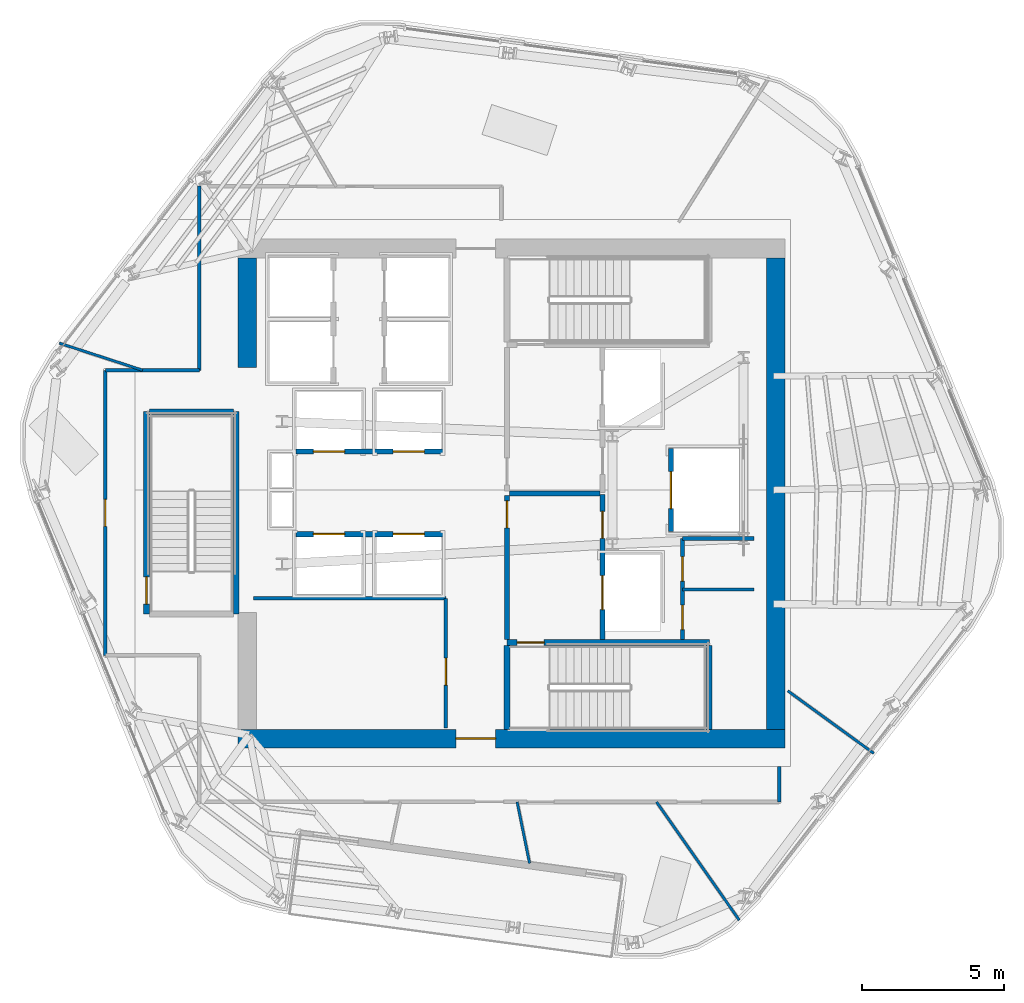
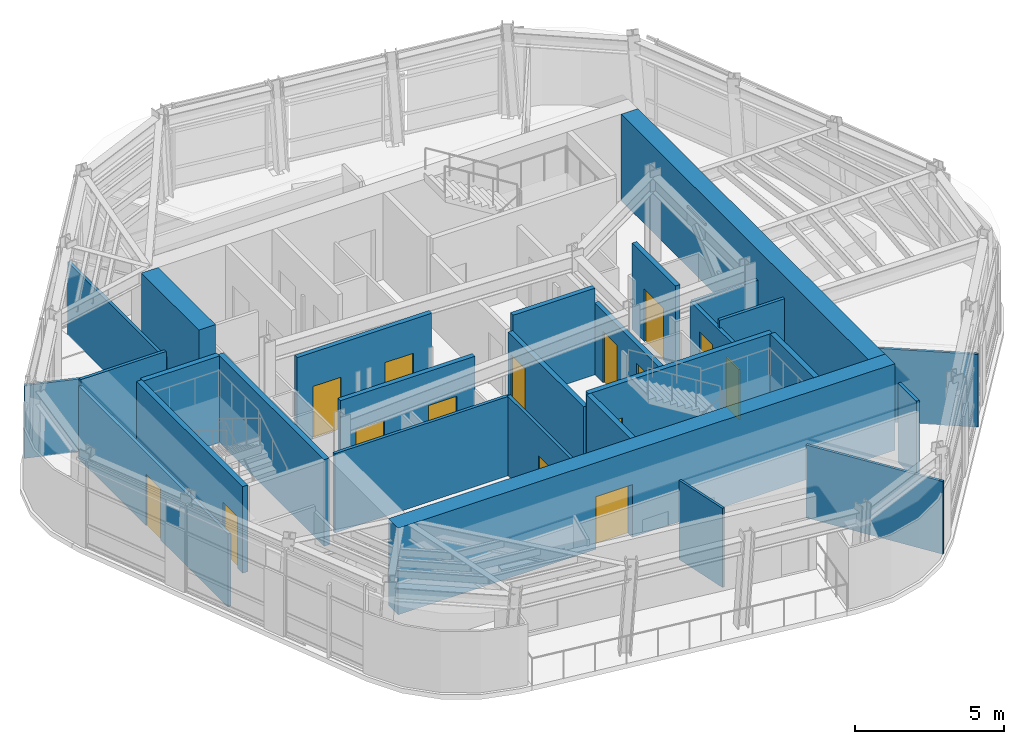
# One storey, part 6 of 12: 28 walls, 15 doors, 15 openings.
"""IFC4 building model written with IfcOpenShell, lengths in metres."""

from ifc_helpers import new_model, si_unit, direction, frame, frame_2d, origin, place, context, subcontext, project, spatial, rectangle, extrude, material, layer, layer_set, type_object, element, fill, save


model = new_model("IFC4")

# Units and contexts
model_context = context("Model", 3, precision=1e-05, world=origin(), true_north=direction((0.0, 1.0)))
body_context = subcontext(model_context, "Body", "Model", "MODEL_VIEW")
ifc_project = project(units=[si_unit("LENGTHUNIT", "METRE"), si_unit("AREAUNIT", "SQUARE_METRE"), si_unit("VOLUMEUNIT", "CUBIC_METRE"), si_unit("PLANEANGLEUNIT", "RADIAN"), si_unit("MASSUNIT", "GRAM", prefix="KILO")], contexts=[model_context])

# Site, building, storey
site_placement = place(None, origin())
site = spatial("IfcSite", under=ifc_project, at=site_placement, CompositionType="ELEMENT")
building_placement = place(site_placement, origin())
building = spatial("IfcBuilding", under=site, at=building_placement, Name="Valkerne Bourse Tower", CompositionType="ELEMENT")
storey_placement = place(building_placement, frame((0.0, 0.0, 247.39990234375)))
storey = spatial("IfcBuildingStorey", under=building, at=storey_placement, Name="L63", CompositionType="ELEMENT", Elevation=247.39990234375)

# Wall, opening, door
ifc_material_1 = material(Name="Concrete C55/67", Category="concrete")
ifc_layer_1 = layer(ifc_material_1, 0.64990234375)
ifc_layer_set_1 = layer_set([ifc_layer_1], Name="Concrete C55/67")
wall_type_1 = type_object("IfcWallType", Name="W-CORE-650", PredefinedType="SHEAR", material=ifc_layer_set_1)
wall_1_placement = place(storey_placement, frame((37.199951171875, 18.27490234375, 0.0), z_axis=(0.0, 0.0, 1.0), x_axis=(1.0, 0.0, 0.0)))
wall_1 = element("IfcWall", 1, at=wall_1_placement, inside=storey, type_object=wall_type_1, Name="L63 Core Shear Wall SOUTH", PredefinedType="SHEAR", context=body_context, shape_type="SweptSolid", body=[
    extrude(rectangle(XDim=19.199951171875, YDim=0.64990234375, at=frame_2d((9.60009765625, 0.0))), origin(), (0.0, 0.0, 1.0), 3.5400390625),
])
opening_1_placement = place(wall_1_placement, frame((7.64990234375, 0.0, 0.0)))
opening_1 = element("IfcOpeningElement", 2, at=opening_1_placement, cuts=wall_1, Name="Opening D-PL-1400", PredefinedType="OPENING", context=body_context, shape_type="SweptSolid", body=[
    extrude(rectangle(XDim=1.39990234375, YDim=2.14990234375, at=frame_2d((0.699951171875, 1.074951171875))), frame((0.0, 0.3349609375, 0.0), z_axis=(0.0, -1.0, 0.0), x_axis=(1.0, 0.0, 0.0)), (0.0, 0.0, 1.0), 0.669921875),
])
ifc_material_2 = material(Name="Galvanised Painted Steel", Category="steel")
door_type_1 = type_object("IfcDoorType", Name="DR-PLT-1400", OperationType="DOUBLE_DOOR_SINGLE_SWING", PredefinedType="DOOR", material=ifc_material_2)
door_1_placement = place(opening_1_placement, origin())
door_1 = element("IfcDoor", 3, at=door_1_placement, inside=storey, type_object=door_type_1, Name="L63 South Passenger Lift Hall Fire Door", OperationType="DOUBLE_DOOR_SINGLE_SWING", OverallHeight=2.14990234375, OverallWidth=1.39990234375, PredefinedType="DOOR", context=body_context, shape_type="SweptSolid", body=[
    extrude(rectangle(XDim=1.39990234375, YDim=2.14990234375, at=frame_2d((0.699951171875, 1.074951171875))), frame((0.0, 0.02490234375, 0.0), z_axis=(0.0, -1.0, 0.0), x_axis=(1.0, 0.0, 0.0)), (0.0, 0.0, 1.0), 0.050048828125),
])
fill(opening_1, door_1)

# Walls
wall_2_placement = place(storey_placement, frame((56.074951171875, 18.60009765625, 0.0), z_axis=(0.0, 0.0, 1.0), x_axis=(0.0, 1.0, 0.0)))
element("IfcWall", 4, at=wall_2_placement, inside=storey, type_object=wall_type_1, Name="L63 Core Shear Wall EAST", PredefinedType="SHEAR", context=body_context, shape_type="SweptSolid", body=[
    extrude(rectangle(XDim=16.5498046875, YDim=0.64990234375, at=frame_2d((8.27490234375, 0.0))), origin(), (0.0, 0.0, 1.0), 3.5400390625),
])
wall_3_placement = place(storey_placement, frame((37.52490234375, 31.300048828125, 0.0), z_axis=(0.0, 0.0, 1.0), x_axis=(0.0, 1.0, 0.0)))
element("IfcWall", 5, at=wall_3_placement, inside=storey, type_object=wall_type_1, Name="L63 Core Shear Wall WEST-N", PredefinedType="SHEAR", context=body_context, shape_type="SweptSolid", body=[
    extrude(rectangle(XDim=3.849853515625, YDim=0.64990234375, at=frame_2d((1.9248046875, 0.0))), origin(), (0.0, 0.0, 1.0), 3.5400390625),
])

# Wall, opening, door
ifc_material_3 = material(Name="Gypsum Board Steel-Stud Partition", Category="steel")
ifc_layer_2 = layer(ifc_material_3, 0.117919921875)
ifc_layer_set_2 = layer_set([ifc_layer_2], Name="Gypsum Board Steel-Stud Partition")
wall_type_2 = type_object("IfcWallType", Name="W-CORR-140", PredefinedType="PARTITIONING", material=ifc_layer_set_2)
wall_4_placement = place(storey_placement, frame((44.5, 18.64990234375, 0.0), z_axis=(0.0, 0.0, 1.0), x_axis=(0.0, 1.0, 0.0)))
wall_4 = element("IfcWall", 6, at=wall_4_placement, inside=storey, type_object=wall_type_2, Name="L63 LV7 Low-Bank East Wall", PredefinedType="PARTITIONING", context=body_context, shape_type="SweptSolid", body=[
    extrude(rectangle(XDim=4.550048828125, YDim=0.117919921875, at=frame_2d((2.27490234375, 0.0))), origin(), (0.0, 0.0, 1.0), 3.239990234375),
])
opening_2_placement = place(wall_4_placement, frame((1.5, 0.0, 0.0)))
opening_2 = element("IfcOpeningElement", 7, at=opening_2_placement, cuts=wall_4, Name="Opening D-SV-950", PredefinedType="OPENING", context=body_context, shape_type="SweptSolid", body=[
    extrude(rectangle(XDim=0.949951171875, YDim=2.050048828125, at=frame_2d((0.47509765625, 1.02490234375))), frame((0.0, 0.06884765625, 0.0), z_axis=(0.0, -1.0, 0.0), x_axis=(1.0, 0.0, 0.0)), (0.0, 0.0, 1.0), 0.137939453125),
])
door_type_2 = type_object("IfcDoorType", Name="DR-SRV-950", OperationType="NOTDEFINED", PredefinedType="DOOR", material=ifc_material_2)
door_2_placement = place(opening_2_placement, origin())
door_2 = element("IfcDoor", 8, at=door_2_placement, inside=storey, type_object=door_type_2, Name="L63 Algorithmic Matching Office Door", OperationType="SINGLE_SWING_LEFT", OverallHeight=2.050048828125, OverallWidth=0.949951171875, PredefinedType="DOOR", context=body_context, shape_type="SweptSolid", body=[
    extrude(rectangle(XDim=0.949951171875, YDim=2.050048828125, at=frame_2d((0.47509765625, 1.02490234375))), frame((0.0, 0.02490234375, 0.0), z_axis=(0.0, -1.0, 0.0), x_axis=(1.0, 0.0, 0.0)), (0.0, 0.0, 1.0), 0.050048828125),
])
fill(opening_2, door_2)

# Walls
wall_5_placement = place(storey_placement, frame((37.75, 23.199951171875, 0.0), z_axis=(0.0, 0.0, 1.0), x_axis=(1.0, 0.0, 0.0)))
element("IfcWall", 9, at=wall_5_placement, inside=storey, type_object=wall_type_2, Name="L63 LV7 Low-Bank North Wall", PredefinedType="PARTITIONING", context=body_context, shape_type="SweptSolid", body=[
    extrude(rectangle(XDim=6.75, YDim=0.117919921875, at=frame_2d((3.375, 0.0))), origin(), (0.0, 0.0, 1.0), 3.239990234375),
])
wall_6_placement = place(storey_placement, frame((52.800048828125, 23.510009765625, 0.0), z_axis=(0.0, 0.0, 1.0), x_axis=(1.0, 0.0, 0.0)))
element("IfcWall", 10, at=wall_6_placement, inside=storey, type_object=wall_type_2, Name="L63 Core SE Dual Divider", PredefinedType="PARTITIONING", context=body_context, shape_type="SweptSolid", body=[
    extrude(rectangle(XDim=2.52001953125, YDim=0.117919921875, at=frame_2d((1.260009765625, 0.0))), origin(), (0.0, 0.0, 1.0), 3.239990234375),
])

# Wall, opening, door
wall_7_placement = place(storey_placement, frame((32.550048828125, 21.199951171875, 0.0), z_axis=(0.0, 0.0, 1.0), x_axis=(0.0, 1.0, 0.0)))
wall_7 = element("IfcWall", 11, at=wall_7_placement, inside=storey, type_object=wall_type_2, Name="L63 Corridor Enclosure Wall", PredefinedType="PARTITIONING", context=body_context, shape_type="SweptSolid", body=[
    extrude(rectangle(XDim=10.0, YDim=0.117919921875, at=frame_2d((5.0, 0.0))), origin(), (0.0, 0.0, 1.0), 2.9765625),
])
opening_3_placement = place(wall_7_placement, frame((4.52490234375, 0.0, 0.0)))
opening_3 = element("IfcOpeningElement", 12, at=opening_3_placement, cuts=wall_7, Name="Opening D-OF-950", PredefinedType="OPENING", context=body_context, shape_type="SweptSolid", body=[
    extrude(rectangle(XDim=0.949951171875, YDim=2.10009765625, at=frame_2d((0.47509765625, 1.050048828125))), frame((0.0, 0.06884765625, 0.0), z_axis=(0.0, -1.0, 0.0), x_axis=(1.0, 0.0, 0.0)), (0.0, 0.0, 1.0), 0.137939453125),
])
ifc_material_4 = material(Name="Architectural White Oak Timber", Category="wood")
door_type_3 = type_object("IfcDoorType", Name="DR-OFF-950", OperationType="NOTDEFINED", PredefinedType="DOOR", material=ifc_material_4)
door_3_placement = place(opening_3_placement, origin())
door_3 = element("IfcDoor", 13, at=door_3_placement, inside=storey, type_object=door_type_3, Name="L63 L63 Trading Desk Office 5 Door", OperationType="SINGLE_SWING_RIGHT", OverallHeight=2.10009765625, OverallWidth=0.949951171875, PredefinedType="DOOR", context=body_context, shape_type="SweptSolid", body=[
    extrude(rectangle(XDim=0.949951171875, YDim=2.10009765625, at=frame_2d((0.47509765625, 1.050048828125))), frame((0.0, 0.02490234375, 0.0), z_axis=(0.0, -1.0, 0.0), x_axis=(1.0, 0.0, 0.0)), (0.0, 0.0, 1.0), 0.050048828125),
])
fill(opening_3, door_3)

# Walls
wall_8_placement = place(storey_placement, frame((32.550048828125, 31.199951171875, 0.0), z_axis=(0.0, 0.0, 1.0), x_axis=(1.0, 0.0, 0.0)))
element("IfcWall", 14, at=wall_8_placement, inside=storey, type_object=wall_type_2, Name="L63 Corridor Enclosure Wall", PredefinedType="PARTITIONING", context=body_context, shape_type="SweptSolid", body=[
    extrude(rectangle(XDim=3.300048828125, YDim=0.117919921875, at=frame_2d((1.64990234375, 0.0))), origin(), (0.0, 0.0, 1.0), 3.239990234375),
])
wall_9_placement = place(storey_placement, frame((35.85009765625, 31.199951171875, 0.0), z_axis=(0.0, 0.0, 1.0), x_axis=(0.0, 1.0, 0.0)))
element("IfcWall", 15, at=wall_9_placement, inside=storey, type_object=wall_type_2, Name="L63 Corridor Enclosure Wall", PredefinedType="PARTITIONING", context=body_context, shape_type="SweptSolid", body=[
    extrude(rectangle(XDim=6.4599609375, YDim=0.117919921875, at=frame_2d((3.22998046875, 0.0))), origin(), (0.0, 0.0, 1.0), 2.9765625),
])
wall_10_placement = place(storey_placement, frame((56.199951171875, 17.2900390625, 0.0), z_axis=(0.0, 0.0, 1.0), x_axis=(0.0, -1.0, 0.0)))
element("IfcWall", 16, at=wall_10_placement, inside=storey, type_object=wall_type_2, Name="L63 Corridor Enclosure Wall", PredefinedType="PARTITIONING", context=body_context, shape_type="SweptSolid", body=[
    extrude(rectangle(XDim=1.22998046875, YDim=0.117919921875, at=frame_2d((0.614990234375, 0.0))), origin(), (0.0, 0.0, 1.0), 3.239990234375),
])
ifc_material_5 = material(Name="Gypsum Fire-Rated Shaftwall", Category="gypsum")
ifc_layer_3 = layer(ifc_material_5, 0.179931640625)
ifc_layer_set_3 = layer_set([ifc_layer_3], Name="Gypsum Fire-Rated Shaftwall")
wall_type_3 = type_object("IfcWallType", Name="W-FSAE-180", PredefinedType="PARTITIONING", material=ifc_layer_set_3)
wall_11_placement = place(storey_placement, frame((46.739990234375, 26.8798828125, 0.0), z_axis=(0.0, 0.0, 1.0), x_axis=(1.0, 0.0, 0.0)))
element("IfcWall", 17, at=wall_11_placement, inside=storey, type_object=wall_type_3, Name="L63 FSAE-1/2 Lobby Dividing Fire Wall", PredefinedType="PARTITIONING", context=body_context, shape_type="SweptSolid", body=[
    extrude(rectangle(XDim=3.169921875, YDim=0.179931640625, at=frame_2d((1.5849609375, 0.0))), origin(), (0.0, 0.0, 1.0), 3.5400390625),
])

# Wall, opening, door
wall_12_placement = place(storey_placement, frame((46.64990234375, 21.75, 0.0), z_axis=(0.0, 0.0, 1.0), x_axis=(0.0, 1.0, 0.0)))
wall_12 = element("IfcWall", 18, at=wall_12_placement, inside=storey, type_object=wall_type_3, Name="L63 FSAE-1 Lobby West Fire Wall", PredefinedType="PARTITIONING", context=body_context, shape_type="SweptSolid", body=[
    extrude(rectangle(XDim=5.050048828125, YDim=0.179931640625, at=frame_2d((2.52490234375, 0.0))), origin(), (0.0, 0.0, 1.0), 2.91796875),
])
opening_4_placement = place(wall_12_placement, frame((3.919921875, 0.0, 0.0)))
opening_4 = element("IfcOpeningElement", 19, at=opening_4_placement, cuts=wall_12, Name="Opening D-FS-950", PredefinedType="OPENING", context=body_context, shape_type="SweptSolid", body=[
    extrude(rectangle(XDim=0.949951171875, YDim=2.10009765625, at=frame_2d((0.47509765625, 1.050048828125))), frame((0.0, 0.099853515625, 0.0), z_axis=(0.0, -1.0, 0.0), x_axis=(1.0, 0.0, 0.0)), (0.0, 0.0, 1.0), 0.199951171875),
])
door_type_4 = type_object("IfcDoorType", Name="DR-FSAE-950", OperationType="NOTDEFINED", PredefinedType="DOOR", material=ifc_material_2)
door_4_placement = place(opening_4_placement, origin())
door_4 = element("IfcDoor", 20, at=door_4_placement, inside=storey, type_object=door_type_4, Name="L63 FSAE-1 Hall Link Fire Door", OperationType="SINGLE_SWING_RIGHT", OverallHeight=2.10009765625, OverallWidth=0.949951171875, PredefinedType="DOOR", context=body_context, shape_type="SweptSolid", body=[
    extrude(rectangle(XDim=0.949951171875, YDim=2.10009765625, at=frame_2d((0.47509765625, 1.050048828125))), frame((0.0, 0.02490234375, 0.0), z_axis=(0.0, -1.0, 0.0), x_axis=(1.0, 0.0, 0.0)), (0.0, 0.0, 1.0), 0.050048828125),
])
fill(opening_4, door_4)

# Wall, openings, doors
wall_13_placement = place(storey_placement, frame((50.0, 21.75, 0.0), z_axis=(0.0, 0.0, 1.0), x_axis=(0.0, 1.0, 0.0)))
wall_13 = element("IfcWall", 21, at=wall_13_placement, inside=storey, type_object=wall_type_3, Name="L63 FSAE-1 Lobby & Shaft Front Wall", PredefinedType="PARTITIONING", context=body_context, shape_type="SweptSolid", body=[
    extrude(rectangle(XDim=5.090087890625, YDim=0.179931640625, at=frame_2d((2.544921875, 0.0))), origin(), (0.0, 0.0, 1.0), 2.91796875),
])
opening_5_placement = place(wall_13_placement, frame((1.050048828125, 0.0, 0.0)))
opening_5 = element("IfcOpeningElement", 22, at=opening_5_placement, cuts=wall_13, Name="Opening LD-1200", PredefinedType="OPENING", context=body_context, shape_type="SweptSolid", body=[
    extrude(rectangle(XDim=1.199951171875, YDim=2.14990234375, at=frame_2d((0.60009765625, 1.074951171875))), frame((0.0, 0.099853515625, 0.0), z_axis=(0.0, -1.0, 0.0), x_axis=(1.0, 0.0, 0.0)), (0.0, 0.0, 1.0), 0.199951171875),
])
opening_6_placement = place(wall_13_placement, frame((3.550048828125, 0.0, 0.0)))
opening_6 = element("IfcOpeningElement", 23, at=opening_6_placement, cuts=wall_13, Name="Opening D-FS-950", PredefinedType="OPENING", context=body_context, shape_type="SweptSolid", body=[
    extrude(rectangle(XDim=0.949951171875, YDim=2.10009765625, at=frame_2d((0.47509765625, 1.050048828125))), frame((0.0, 0.099853515625, 0.0), z_axis=(0.0, -1.0, 0.0), x_axis=(1.0, 0.0, 0.0)), (0.0, 0.0, 1.0), 0.199951171875),
])
door_5_placement = place(opening_6_placement, origin())
door_5 = element("IfcDoor", 24, at=door_5_placement, inside=storey, type_object=door_type_4, Name="L63 FSAE-1 Lobby Corridor Fire Door", OperationType="SINGLE_SWING_RIGHT", OverallHeight=2.10009765625, OverallWidth=0.949951171875, PredefinedType="DOOR", context=body_context, shape_type="SweptSolid", body=[
    extrude(rectangle(XDim=0.949951171875, YDim=2.10009765625, at=frame_2d((0.47509765625, 1.050048828125))), frame((0.0, 0.02490234375, 0.0), z_axis=(0.0, -1.0, 0.0), x_axis=(1.0, 0.0, 0.0)), (0.0, 0.0, 1.0), 0.050048828125),
])
fill(opening_6, door_5)
ifc_material_6 = material(Name="Stainless Steel AISI 316", Category="steel")
door_type_5 = type_object("IfcDoorType", Name="DR-LIFT-1200", OperationType="DOUBLE_DOOR_SLIDING", PredefinedType="DOOR", material=ifc_material_6)
door_6_placement = place(opening_5_placement, origin())
door_6 = element("IfcDoor", 25, at=door_6_placement, inside=storey, type_object=door_type_5, Name="L63 FSAE-1 Firefighting Lift Landing Door", OperationType="DOUBLE_DOOR_SLIDING", OverallHeight=2.14990234375, OverallWidth=1.199951171875, PredefinedType="DOOR", context=body_context, shape_type="SweptSolid", body=[
    extrude(rectangle(XDim=1.199951171875, YDim=2.14990234375, at=frame_2d((0.60009765625, 1.074951171875))), frame((0.0, 0.02490234375, 0.0), z_axis=(0.0, -1.0, 0.0), x_axis=(1.0, 0.0, 0.0)), (0.0, 0.0, 1.0), 0.050048828125),
])
fill(opening_5, door_6)

# Wall, opening, door
ifc_material_7 = material(Name="CMU Blockwork Masonry 200mm", Category="masonry")
ifc_layer_4 = layer(ifc_material_7, 0.179931640625)
ifc_layer_set_4 = layer_set([ifc_layer_4], Name="CMU Blockwork Masonry 200mm")
wall_type_4 = type_object("IfcWallType", Name="W-LFT-180", PredefinedType="SOLIDWALL", material=ifc_layer_set_4)
wall_14_placement = place(storey_placement, frame((52.39990234375, 25.550048828125, 0.0), z_axis=(0.0, 0.0, 1.0), x_axis=(0.0, 1.0, 0.0)))
wall_14 = element("IfcWall", 26, at=wall_14_placement, inside=storey, type_object=wall_type_4, Name="L63 Service Lift SV-1 Front Wall", PredefinedType="SOLIDWALL", context=body_context, shape_type="SweptSolid", body=[
    extrude(rectangle(XDim=2.89990234375, YDim=0.179931640625, at=frame_2d((1.449951171875, 0.0))), origin(), (0.0, 0.0, 1.0), 3.5400390625),
])
opening_7_placement = place(wall_14_placement, frame((0.800048828125, 0.0, 0.0)))
opening_7 = element("IfcOpeningElement", 27, at=opening_7_placement, cuts=wall_14, Name="Opening LD-1300", PredefinedType="OPENING", context=body_context, shape_type="SweptSolid", body=[
    extrude(rectangle(XDim=1.300048828125, YDim=2.14990234375, at=frame_2d((0.64990234375, 1.074951171875))), frame((0.0, 0.099853515625, 0.0), z_axis=(0.0, -1.0, 0.0), x_axis=(1.0, 0.0, 0.0)), (0.0, 0.0, 1.0), 0.199951171875),
])
door_type_6 = type_object("IfcDoorType", Name="DR-LIFT-1300", OperationType="DOUBLE_DOOR_SLIDING", PredefinedType="DOOR", material=ifc_material_6)
door_7_placement = place(opening_7_placement, origin())
door_7 = element("IfcDoor", 28, at=door_7_placement, inside=storey, type_object=door_type_6, Name="L63 Service Lift SV-1 Landing Door", OperationType="DOUBLE_DOOR_SLIDING", OverallHeight=2.14990234375, OverallWidth=1.300048828125, PredefinedType="DOOR", context=body_context, shape_type="SweptSolid", body=[
    extrude(rectangle(XDim=1.300048828125, YDim=2.14990234375, at=frame_2d((0.64990234375, 1.074951171875))), frame((0.0, 0.02490234375, 0.0), z_axis=(0.0, -1.0, 0.0), x_axis=(1.0, 0.0, 0.0)), (0.0, 0.0, 1.0), 0.050048828125),
])
fill(opening_7, door_7)

# Wall, openings, doors
wall_15_placement = place(storey_placement, frame((39.25, 25.449951171875, 0.0), z_axis=(0.0, 0.0, 1.0), x_axis=(1.0, 0.0, 0.0)))
wall_15 = element("IfcWall", 29, at=wall_15_placement, inside=storey, type_object=wall_type_4, Name="L63 High-Zone South Cars Front Wall", PredefinedType="SOLIDWALL", context=body_context, shape_type="SweptSolid", body=[
    extrude(rectangle(XDim=5.199951171875, YDim=0.179931640625, at=frame_2d((2.60009765625, 0.0))), origin(), (0.0, 0.0, 1.0), 3.5400390625),
])
opening_8_placement = place(wall_15_placement, frame((0.60009765625, 0.0, 0.0)))
opening_8 = element("IfcOpeningElement", 30, at=opening_8_placement, cuts=wall_15, Name="Opening LD-1100", PredefinedType="OPENING", context=body_context, shape_type="SweptSolid", body=[
    extrude(rectangle(XDim=1.10009765625, YDim=2.14990234375, at=frame_2d((0.550048828125, 1.074951171875))), frame((0.0, 0.099853515625, 0.0), z_axis=(0.0, -1.0, 0.0), x_axis=(1.0, 0.0, 0.0)), (0.0, 0.0, 1.0), 0.199951171875),
])
opening_9_placement = place(wall_15_placement, frame((3.39990234375, 0.0, 0.0)))
opening_9 = element("IfcOpeningElement", 31, at=opening_9_placement, cuts=wall_15, Name="Opening LD-1100", PredefinedType="OPENING", context=body_context, shape_type="SweptSolid", body=[
    extrude(rectangle(XDim=1.10009765625, YDim=2.14990234375, at=frame_2d((0.550048828125, 1.074951171875))), frame((0.0, 0.099853515625, 0.0), z_axis=(0.0, -1.0, 0.0), x_axis=(1.0, 0.0, 0.0)), (0.0, 0.0, 1.0), 0.199951171875),
])
door_type_7 = type_object("IfcDoorType", Name="DR-LIFT-1100", OperationType="DOUBLE_DOOR_SLIDING", PredefinedType="DOOR", material=ifc_material_6)
door_8_placement = place(opening_8_placement, origin())
door_8 = element("IfcDoor", 32, at=door_8_placement, inside=storey, type_object=door_type_7, Name="L63 Passenger Lift PL-H1 Sliding Landing Door", OperationType="DOUBLE_DOOR_SLIDING", OverallHeight=2.14990234375, OverallWidth=1.10009765625, PredefinedType="DOOR", context=body_context, shape_type="SweptSolid", body=[
    extrude(rectangle(XDim=1.10009765625, YDim=2.14990234375, at=frame_2d((0.550048828125, 1.074951171875))), frame((0.0, 0.02490234375, 0.0), z_axis=(0.0, -1.0, 0.0), x_axis=(1.0, 0.0, 0.0)), (0.0, 0.0, 1.0), 0.050048828125),
])
fill(opening_8, door_8)
door_9_placement = place(opening_9_placement, origin())
door_9 = element("IfcDoor", 33, at=door_9_placement, inside=storey, type_object=door_type_7, Name="L63 Passenger Lift PL-H2 Sliding Landing Door", OperationType="DOUBLE_DOOR_SLIDING", OverallHeight=2.14990234375, OverallWidth=1.10009765625, PredefinedType="DOOR", context=body_context, shape_type="SweptSolid", body=[
    extrude(rectangle(XDim=1.10009765625, YDim=2.14990234375, at=frame_2d((0.550048828125, 1.074951171875))), frame((0.0, 0.02490234375, 0.0), z_axis=(0.0, -1.0, 0.0), x_axis=(1.0, 0.0, 0.0)), (0.0, 0.0, 1.0), 0.050048828125),
])
fill(opening_9, door_9)

wall_16_placement = place(storey_placement, frame((39.25, 28.35009765625, 0.0), z_axis=(0.0, 0.0, 1.0), x_axis=(1.0, 0.0, 0.0)))
wall_16 = element("IfcWall", 34, at=wall_16_placement, inside=storey, type_object=wall_type_4, Name="L63 High-Zone North Cars Front Wall", PredefinedType="SOLIDWALL", context=body_context, shape_type="SweptSolid", body=[
    extrude(rectangle(XDim=5.199951171875, YDim=0.179931640625, at=frame_2d((2.60009765625, 0.0))), origin(), (0.0, 0.0, 1.0), 3.5400390625),
])
opening_10_placement = place(wall_16_placement, frame((0.60009765625, 0.0, 0.0)))
opening_10 = element("IfcOpeningElement", 35, at=opening_10_placement, cuts=wall_16, Name="Opening LD-1100", PredefinedType="OPENING", context=body_context, shape_type="SweptSolid", body=[
    extrude(rectangle(XDim=1.10009765625, YDim=2.14990234375, at=frame_2d((0.550048828125, 1.074951171875))), frame((0.0, 0.099853515625, 0.0), z_axis=(0.0, -1.0, 0.0), x_axis=(1.0, 0.0, 0.0)), (0.0, 0.0, 1.0), 0.199951171875),
])
opening_11_placement = place(wall_16_placement, frame((3.39990234375, 0.0, 0.0)))
opening_11 = element("IfcOpeningElement", 36, at=opening_11_placement, cuts=wall_16, Name="Opening LD-1100", PredefinedType="OPENING", context=body_context, shape_type="SweptSolid", body=[
    extrude(rectangle(XDim=1.10009765625, YDim=2.14990234375, at=frame_2d((0.550048828125, 1.074951171875))), frame((0.0, 0.099853515625, 0.0), z_axis=(0.0, -1.0, 0.0), x_axis=(1.0, 0.0, 0.0)), (0.0, 0.0, 1.0), 0.199951171875),
])
door_10_placement = place(opening_10_placement, origin())
door_10 = element("IfcDoor", 37, at=door_10_placement, inside=storey, type_object=door_type_7, Name="L63 Passenger Lift PL-H3 Sliding Landing Door", OperationType="DOUBLE_DOOR_SLIDING", OverallHeight=2.14990234375, OverallWidth=1.10009765625, PredefinedType="DOOR", context=body_context, shape_type="SweptSolid", body=[
    extrude(rectangle(XDim=1.10009765625, YDim=2.14990234375, at=frame_2d((0.550048828125, 1.074951171875))), frame((0.0, 0.02490234375, 0.0), z_axis=(0.0, -1.0, 0.0), x_axis=(1.0, 0.0, 0.0)), (0.0, 0.0, 1.0), 0.050048828125),
])
fill(opening_10, door_10)
door_11_placement = place(opening_11_placement, origin())
door_11 = element("IfcDoor", 38, at=door_11_placement, inside=storey, type_object=door_type_7, Name="L63 Passenger Lift PL-H4 Sliding Landing Door", OperationType="DOUBLE_DOOR_SLIDING", OverallHeight=2.14990234375, OverallWidth=1.10009765625, PredefinedType="DOOR", context=body_context, shape_type="SweptSolid", body=[
    extrude(rectangle(XDim=1.10009765625, YDim=2.14990234375, at=frame_2d((0.550048828125, 1.074951171875))), frame((0.0, 0.02490234375, 0.0), z_axis=(0.0, -1.0, 0.0), x_axis=(1.0, 0.0, 0.0)), (0.0, 0.0, 1.0), 0.050048828125),
])
fill(opening_11, door_11)

# Walls
ifc_layer_5 = layer(ifc_material_3, 0.092041015625)
ifc_layer_set_5 = layer_set([ifc_layer_5], Name="Gypsum Board Steel-Stud Partition")
wall_type_5 = type_object("IfcWallType", Name="W-PART-115", PredefinedType="PARTITIONING", material=ifc_layer_set_5)
wall_17_placement = place(storey_placement, frame((47.0029296875, 16.054931640625, 0.0), z_axis=(0.0, 0.0, 1.0), x_axis=(0.199403117212, -0.979917545943, 0.0)))
element("IfcWall", 39, at=wall_17_placement, inside=storey, type_object=wall_type_5, Name="L63 Suite Partition P02", PredefinedType="PARTITIONING", context=body_context, shape_type="SweptSolid", body=[
    extrude(rectangle(XDim=2.198974609375, YDim=0.092041015625, at=frame_2d((1.099609375, 0.0))), origin(), (0.0, 0.0, 1.0), 3.239990234375),
])
wall_18_placement = place(storey_placement, frame((51.8935546875, 16.054931640625, 0.0), z_axis=(0.0, 0.0, 1.0), x_axis=(0.573585327229, -0.819145818758, 0.0)))
element("IfcWall", 40, at=wall_18_placement, inside=storey, type_object=wall_type_5, Name="L63 Suite Partition P03", PredefinedType="PARTITIONING", context=body_context, shape_type="SweptSolid", body=[
    extrude(rectangle(XDim=5.0625, YDim=0.092041015625, at=frame_2d((2.53125, 0.0))), origin(), (0.0, 0.0, 1.0), 2.9765625),
])
wall_19_placement = place(storey_placement, frame((56.5, 19.952392578125, 0.0), z_axis=(0.0, 0.0, 1.0), x_axis=(0.809038722341, -0.587755345151, 0.0)))
element("IfcWall", 41, at=wall_19_placement, inside=storey, type_object=wall_type_5, Name="L63 Suite Partition P04", PredefinedType="PARTITIONING", context=body_context, shape_type="SweptSolid", body=[
    extrude(rectangle(XDim=3.7314453125, YDim=0.092041015625, at=frame_2d((1.86572265625, 0.0))), origin(), (0.0, 0.0, 1.0), 2.9765625),
])
wall_20_placement = place(storey_placement, frame((33.8583984375, 31.205078125, 0.0), z_axis=(0.0, 0.0, 1.0), x_axis=(-0.951072030592, 0.308969242199, 0.0)))
element("IfcWall", 42, at=wall_20_placement, inside=storey, type_object=wall_type_5, Name="L63 Suite Partition P07", PredefinedType="PARTITIONING", context=body_context, shape_type="SweptSolid", body=[
    extrude(rectangle(XDim=3.071533203125, YDim=0.092041015625, at=frame_2d((1.53564453125, 0.0))), origin(), (0.0, 0.0, 1.0), 2.9765625),
])

# Wall, opening, door
ifc_material_8 = material(Name="Concrete C40/50", Category="concrete")
ifc_layer_6 = layer(ifc_material_8, 0.199951171875)
ifc_layer_set_6 = layer_set([ifc_layer_6], Name="Concrete C40/50")
wall_type_6 = type_object("IfcWallType", Name="W-SHF-200", PredefinedType="SHEAR", material=ifc_layer_set_6)
wall_21_placement = place(storey_placement, frame((46.64990234375, 21.64990234375, 0.0), z_axis=(0.0, 0.0, 1.0), x_axis=(1.0, 0.0, 0.0)))
wall_21 = element("IfcWall", 43, at=wall_21_placement, inside=storey, type_object=wall_type_6, Name="L63 Exit Stair ST-1 Structural Shaft Wall North", PredefinedType="SHEAR", context=body_context, shape_type="SweptSolid", body=[
    extrude(rectangle(XDim=7.10009765625, YDim=0.199951171875, at=frame_2d((3.550048828125, 0.0))), origin(), (0.0, 0.0, 1.0), 3.5400390625),
])
opening_12_placement = place(wall_21_placement, frame((0.35009765625, 0.0, 0.0)))
opening_12 = element("IfcOpeningElement", 44, at=opening_12_placement, cuts=wall_21, Name="Opening D-ST-950", PredefinedType="OPENING", context=body_context, shape_type="SweptSolid", body=[
    extrude(rectangle(XDim=0.949951171875, YDim=2.10009765625, at=frame_2d((0.47509765625, 1.050048828125))), frame((0.0, 0.10986328125, 0.0), z_axis=(0.0, -1.0, 0.0), x_axis=(1.0, 0.0, 0.0)), (0.0, 0.0, 1.0), 0.219970703125),
])
door_type_8 = type_object("IfcDoorType", Name="DR-STAIR-950", OperationType="NOTDEFINED", PredefinedType="DOOR", material=ifc_material_2)
door_12_placement = place(opening_12_placement, origin())
door_12 = element("IfcDoor", 45, at=door_12_placement, inside=storey, type_object=door_type_8, Name="L63 Exit Stair ST-1 Door", OperationType="SINGLE_SWING_RIGHT", OverallHeight=2.10009765625, OverallWidth=0.949951171875, PredefinedType="DOOR", context=body_context, shape_type="SweptSolid", body=[
    extrude(rectangle(XDim=0.949951171875, YDim=2.10009765625, at=frame_2d((0.47509765625, 1.050048828125))), frame((0.0, 0.02490234375, 0.0), z_axis=(0.0, -1.0, 0.0), x_axis=(1.0, 0.0, 0.0)), (0.0, 0.0, 1.0), 0.050048828125),
])
fill(opening_12, door_12)

# Walls
for number, where, z_axis, x_axis, name in (
    (46, (46.64990234375, 18.60009765625, 0.0), (0.0, 0.0, 1.0), (0.0, 1.0, 0.0), "L63 Exit Stair ST-1 Structural Shaft Wall West"),
    (47, (53.75, 18.60009765625, 0.0), (0.0, 0.0, 1.0), (0.0, 1.0, 0.0), "L63 Exit Stair ST-1 Structural Shaft Wall East"),
):
    element("IfcWall", number, at=place(storey_placement, frame(where, z_axis=z_axis, x_axis=x_axis)), inside=storey, type_object=wall_type_6, Name=name, PredefinedType="SHEAR", context=body_context, shape_type="SweptSolid", body=[
        extrude(rectangle(XDim=2.949951171875, YDim=0.199951171875, at=frame_2d((1.47509765625, 0.0))), origin(), (0.0, 0.0, 1.0), 3.5400390625),
    ])

# Wall, opening, door
wall_22_placement = place(storey_placement, frame((34.0, 22.64990234375, 0.0), z_axis=(0.0, 0.0, 1.0), x_axis=(0.0, 1.0, 0.0)))
wall_22 = element("IfcWall", 48, at=wall_22_placement, inside=storey, type_object=wall_type_6, Name="L63 Exit Stair ST-3 Structural Shaft Wall West", PredefinedType="SHEAR", context=body_context, shape_type="SweptSolid", body=[
    extrude(rectangle(XDim=7.10009765625, YDim=0.199951171875, at=frame_2d((3.550048828125, 0.0))), origin(), (0.0, 0.0, 1.0), 3.5400390625),
])
opening_13_placement = place(wall_22_placement, frame((0.35009765625, 0.0, 0.0)))
opening_13 = element("IfcOpeningElement", 49, at=opening_13_placement, cuts=wall_22, Name="Opening D-ST-950", PredefinedType="OPENING", context=body_context, shape_type="SweptSolid", body=[
    extrude(rectangle(XDim=0.949951171875, YDim=2.10009765625, at=frame_2d((0.47509765625, 1.050048828125))), frame((0.0, 0.10986328125, 0.0), z_axis=(0.0, -1.0, 0.0), x_axis=(1.0, 0.0, 0.0)), (0.0, 0.0, 1.0), 0.219970703125),
])
door_13_placement = place(opening_13_placement, origin())
door_13 = element("IfcDoor", 50, at=door_13_placement, inside=storey, type_object=door_type_8, Name="L63 Exit Stair ST-3 Door", OperationType="SINGLE_SWING_RIGHT", OverallHeight=2.10009765625, OverallWidth=0.949951171875, PredefinedType="DOOR", context=body_context, shape_type="SweptSolid", body=[
    extrude(rectangle(XDim=0.949951171875, YDim=2.10009765625, at=frame_2d((0.47509765625, 1.050048828125))), frame((0.0, 0.02490234375, 0.0), z_axis=(0.0, -1.0, 0.0), x_axis=(1.0, 0.0, 0.0)), (0.0, 0.0, 1.0), 0.050048828125),
])
fill(opening_13, door_13)

# Walls
wall_23_placement = place(storey_placement, frame((34.10009765625, 29.75, 0.0), z_axis=(0.0, 0.0, 1.0), x_axis=(1.0, 0.0, 0.0)))
element("IfcWall", 51, at=wall_23_placement, inside=storey, type_object=wall_type_6, Name="L63 Exit Stair ST-3 Structural Shaft Wall North", PredefinedType="SHEAR", context=body_context, shape_type="SweptSolid", body=[
    extrude(rectangle(XDim=2.949951171875, YDim=0.199951171875, at=frame_2d((1.47509765625, 0.0))), origin(), (0.0, 0.0, 1.0), 3.5400390625),
])
wall_24_placement = place(storey_placement, frame((37.14990234375, 22.64990234375, 0.0), z_axis=(0.0, 0.0, 1.0), x_axis=(0.0, 1.0, 0.0)))
element("IfcWall", 52, at=wall_24_placement, inside=storey, type_object=wall_type_6, Name="L63 Exit Stair ST-3 Structural Shaft Wall East", PredefinedType="SHEAR", context=body_context, shape_type="SweptSolid", body=[
    extrude(rectangle(XDim=7.10009765625, YDim=0.199951171875, at=frame_2d((3.550048828125, 0.0))), origin(), (0.0, 0.0, 1.0), 3.5400390625),
])

# Wall, openings, doors
ifc_material_9 = material(Name="Moisture-Resistant Gypsum Partition", Category="gypsum")
ifc_layer_7 = layer(ifc_material_9, 0.139892578125)
ifc_layer_set_7 = layer_set([ifc_layer_7], Name="Moisture-Resistant Gypsum Partition")
wall_type_7 = type_object("IfcWallType", Name="W-WET-140", PredefinedType="PARTITIONING", material=ifc_layer_set_7)
wall_25_placement = place(storey_placement, frame((52.800048828125, 21.75, 0.0), z_axis=(0.0, 0.0, 1.0), x_axis=(0.0, 1.0, 0.0)))
wall_25 = element("IfcWall", 53, at=wall_25_placement, inside=storey, type_object=wall_type_7, Name="L63 Core SE Dual West Wall", PredefinedType="PARTITIONING", context=body_context, shape_type="SweptSolid", body=[
    extrude(rectangle(XDim=3.550048828125, YDim=0.139892578125, at=frame_2d((1.77490234375, 0.0))), origin(), (0.0, 0.0, 1.0), 2.91796875),
])
opening_14_placement = place(wall_25_placement, frame((0.35009765625, 0.0, 0.0)))
opening_14 = element("IfcOpeningElement", 54, at=opening_14_placement, cuts=wall_25, Name="Opening D-WC-900", PredefinedType="OPENING", context=body_context, shape_type="SweptSolid", body=[
    extrude(rectangle(XDim=0.860107421875, YDim=2.050048828125, at=frame_2d((0.43017578125, 1.02490234375))), frame((0.0, 0.079833984375, 0.0), z_axis=(0.0, -1.0, 0.0), x_axis=(1.0, 0.0, 0.0)), (0.0, 0.0, 1.0), 0.159912109375),
])
opening_15_placement = place(wall_25_placement, frame((2.050048828125, 0.0, 0.0)))
opening_15 = element("IfcOpeningElement", 55, at=opening_15_placement, cuts=wall_25, Name="Opening D-WC-900", PredefinedType="OPENING", context=body_context, shape_type="SweptSolid", body=[
    extrude(rectangle(XDim=0.860107421875, YDim=2.050048828125, at=frame_2d((0.43017578125, 1.02490234375))), frame((0.0, 0.079833984375, 0.0), z_axis=(0.0, -1.0, 0.0), x_axis=(1.0, 0.0, 0.0)), (0.0, 0.0, 1.0), 0.159912109375),
])
door_type_9 = type_object("IfcDoorType", Name="DR-WC-900", OperationType="NOTDEFINED", PredefinedType="DOOR", material=ifc_material_4)
door_14_placement = place(opening_14_placement, origin())
door_14 = element("IfcDoor", 56, at=door_14_placement, inside=storey, type_object=door_type_9, Name="L63 Linen Store Door", OperationType="SINGLE_SWING_LEFT", OverallHeight=2.050048828125, OverallWidth=0.860107421875, PredefinedType="DOOR", context=body_context, shape_type="SweptSolid", body=[
    extrude(rectangle(XDim=0.860107421875, YDim=2.050048828125, at=frame_2d((0.43017578125, 1.02490234375))), frame((0.0, 0.02490234375, 0.0), z_axis=(0.0, -1.0, 0.0), x_axis=(1.0, 0.0, 0.0)), (0.0, 0.0, 1.0), 0.050048828125),
])
fill(opening_14, door_14)
door_15_placement = place(opening_15_placement, origin())
door_15 = element("IfcDoor", 57, at=door_15_placement, inside=storey, type_object=door_type_9, Name="L63 Espresso Kitchen Door", OperationType="SINGLE_SWING_LEFT", OverallHeight=2.050048828125, OverallWidth=0.860107421875, PredefinedType="DOOR", context=body_context, shape_type="SweptSolid", body=[
    extrude(rectangle(XDim=0.860107421875, YDim=2.050048828125, at=frame_2d((0.43017578125, 1.02490234375))), frame((0.0, 0.02490234375, 0.0), z_axis=(0.0, -1.0, 0.0), x_axis=(1.0, 0.0, 0.0)), (0.0, 0.0, 1.0), 0.050048828125),
])
fill(opening_15, door_15)

# Wall
wall_26_placement = place(storey_placement, frame((52.800048828125, 25.300048828125, 0.0), z_axis=(0.0, 0.0, 1.0), x_axis=(1.0, 0.0, 0.0)))
element("IfcWall", 58, at=wall_26_placement, inside=storey, type_object=wall_type_7, Name="L63 Core SE Dual North Wall", PredefinedType="PARTITIONING", context=body_context, shape_type="SweptSolid", body=[
    extrude(rectangle(XDim=2.52001953125, YDim=0.139892578125, at=frame_2d((1.260009765625, 0.0))), origin(), (0.0, 0.0, 1.0), 2.91796875),
])

save(model, "model.ifc")
